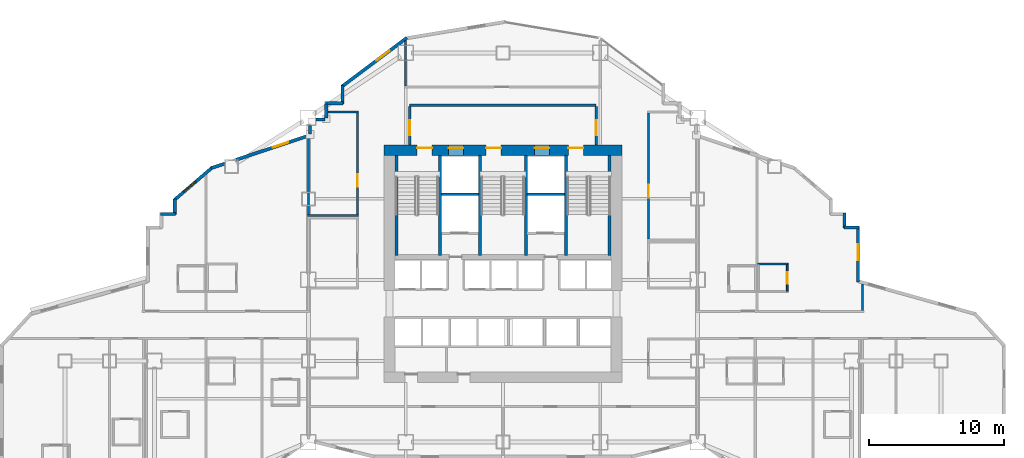
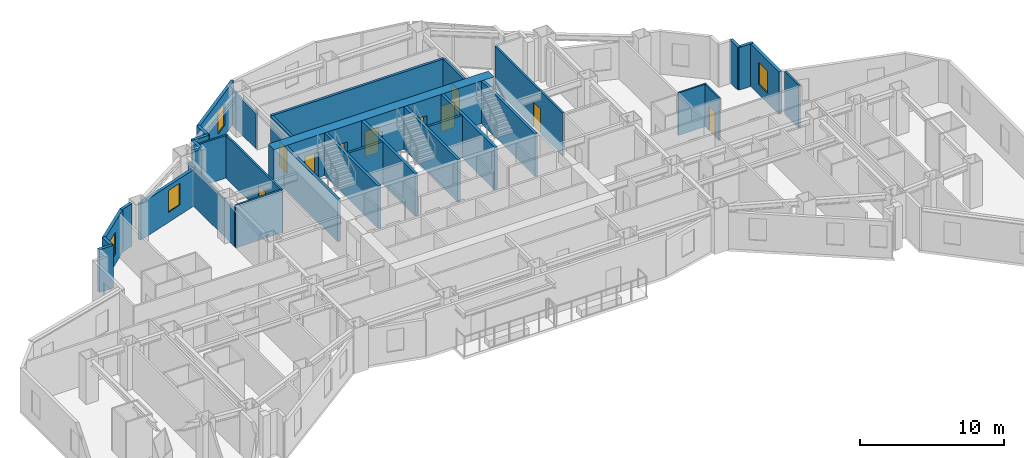
# One storey, part 11 of 16: 35 walls, 10 doors, 4 windows, 14 openings.
"""IFC4 building model written with IfcOpenShell, lengths in metres."""

from ifc_helpers import new_model, si_unit, direction, frame, frame_2d, origin, place, context, subcontext, project, spatial, rectangle, extrude, material, layer, layer_set, type_object, element, fill, save


model = new_model("IFC4")

# Units and contexts
model_context = context("Model", 3, precision=1e-05, world=origin(), true_north=direction((0.0, 1.0)))
body_context = subcontext(model_context, "Body", "Model", "MODEL_VIEW")
ifc_project = project(units=[si_unit("LENGTHUNIT", "METRE"), si_unit("AREAUNIT", "SQUARE_METRE"), si_unit("VOLUMEUNIT", "CUBIC_METRE"), si_unit("PLANEANGLEUNIT", "RADIAN"), si_unit("MASSUNIT", "GRAM", prefix="KILO")], contexts=[model_context])

# Site, building, storey
site_placement = place(None, origin())
site = spatial("IfcSite", under=ifc_project, at=site_placement, CompositionType="ELEMENT")
building_placement = place(site_placement, origin())
building = spatial("IfcBuilding", under=site, at=building_placement, Name="Haolan Belvedere Tower", CompositionType="ELEMENT")
storey_placement = place(building_placement, frame((0.0, 0.0, 62.800048828125)))
storey = spatial("IfcBuildingStorey", under=building, at=storey_placement, Name="L15", CompositionType="ELEMENT", Elevation=62.800048828125)

# Wall, openings, doors
ifc_material_1 = material(Name="Concrete C70/85", Category="concrete")
ifc_layer_1 = layer(ifc_material_1, 0.800048828125, Name="Concrete C70/85")
ifc_layer_set_1 = layer_set([ifc_layer_1], Name="Concrete C70/85")
wall_type_1 = type_object("IfcWallType", Name="WL-CORE-800", PredefinedType="SHEAR", material=ifc_layer_set_1)
wall_1_placement = place(storey_placement, frame((29.60009765625, 43.199951171875, 0.0), z_axis=(0.0, 0.0, 1.0), x_axis=(1.0, 0.0, 0.0)))
wall_1 = element("IfcWall", 1, at=wall_1_placement, inside=storey, type_object=wall_type_1, Name="L15 central core north shear wall", PredefinedType="SHEAR", context=body_context, shape_type="SweptSolid", body=[
    extrude(rectangle(XDim=17.599853515625, YDim=0.800048828125, at=frame_2d((8.7998046875, 0.0))), origin(), (0.0, 0.0, 1.0), 3.599853515625),
])
opening_1_placement = place(wall_1_placement, frame((2.449951171875, 0.0, 0.0)))
opening_1 = element("IfcOpeningElement", 2, at=opening_1_placement, cuts=wall_1, Name="Opening FD-03", PredefinedType="OPENING", context=body_context, shape_type="SweptSolid", body=[
    extrude(rectangle(XDim=1.10009765625, YDim=2.14990234375, at=frame_2d((0.550048828125, 1.074951171875))), frame((0.0, 0.409912109375, 0.0), z_axis=(0.0, -1.0, 0.0), x_axis=(1.0, 0.0, 0.0)), (0.0, 0.0, 1.0), 0.820068359375),
])
opening_2_placement = place(wall_1_placement, frame((7.56005859375, 0.0, 0.0)))
opening_2 = element("IfcOpeningElement", 3, at=opening_2_placement, cuts=wall_1, Name="Opening FD-03", PredefinedType="OPENING", context=body_context, shape_type="SweptSolid", body=[
    extrude(rectangle(XDim=1.10009765625, YDim=2.14990234375, at=frame_2d((0.550048828125, 1.074951171875))), frame((0.0, 0.409912109375, 0.0), z_axis=(0.0, -1.0, 0.0), x_axis=(1.0, 0.0, 0.0)), (0.0, 0.0, 1.0), 0.820068359375),
])
opening_3_placement = place(wall_1_placement, frame((13.64990234375, 0.0, 0.0)))
opening_3 = element("IfcOpeningElement", 4, at=opening_3_placement, cuts=wall_1, Name="Opening FD-03", PredefinedType="OPENING", context=body_context, shape_type="SweptSolid", body=[
    extrude(rectangle(XDim=1.10009765625, YDim=2.14990234375, at=frame_2d((0.550048828125, 1.074951171875))), frame((0.0, 0.409912109375, 0.0), z_axis=(0.0, -1.0, 0.0), x_axis=(1.0, 0.0, 0.0)), (0.0, 0.0, 1.0), 0.820068359375),
])
opening_4_placement = place(wall_1_placement, frame((4.780029296875, 0.0, 0.0)))
opening_4 = element("IfcOpeningElement", 5, at=opening_4_placement, cuts=wall_1, Name="Opening LD-01", PredefinedType="OPENING", context=body_context, shape_type="SweptSolid", body=[
    extrude(rectangle(XDim=1.10009765625, YDim=2.199951171875, at=frame_2d((0.550048828125, 1.10009765625))), frame((0.0, 0.409912109375, 0.0), z_axis=(0.0, -1.0, 0.0), x_axis=(1.0, 0.0, 0.0)), (0.0, 0.0, 1.0), 0.820068359375),
])
opening_5_placement = place(wall_1_placement, frame((11.139892578125, 0.0, 0.0)))
opening_5 = element("IfcOpeningElement", 6, at=opening_5_placement, cuts=wall_1, Name="Opening LD-01", PredefinedType="OPENING", context=body_context, shape_type="SweptSolid", body=[
    extrude(rectangle(XDim=1.10009765625, YDim=2.199951171875, at=frame_2d((0.550048828125, 1.10009765625))), frame((0.0, 0.409912109375, 0.0), z_axis=(0.0, -1.0, 0.0), x_axis=(1.0, 0.0, 0.0)), (0.0, 0.0, 1.0), 0.820068359375),
])
ifc_material_2 = material(Name="Galvanised fire-rated steel", Category="steel")
door_type_1 = type_object("IfcDoorType", Name="DR-FD90-1100", OperationType="NOTDEFINED", PredefinedType="DOOR", material=ifc_material_2)
door_1_placement = place(opening_1_placement, origin())
door_1 = element("IfcDoor", 7, at=door_1_placement, inside=storey, type_object=door_type_1, Name="L15 door CD-L15-ST1", OperationType="SINGLE_SWING_LEFT", OverallHeight=2.14990234375, OverallWidth=1.10009765625, PredefinedType="DOOR", context=body_context, shape_type="SweptSolid", body=[
    extrude(rectangle(XDim=1.10009765625, YDim=2.14990234375, at=frame_2d((0.550048828125, 1.074951171875))), frame((0.0, 0.18505859375, 0.0), z_axis=(0.0, -1.0, 0.0), x_axis=(1.0, 0.0, 0.0)), (0.0, 0.0, 1.0), 0.050048828125),
])
fill(opening_1, door_1)
door_2_placement = place(opening_2_placement, origin())
door_2 = element("IfcDoor", 8, at=door_2_placement, inside=storey, type_object=door_type_1, Name="L15 door CD-L15-ST3", OperationType="SINGLE_SWING_LEFT", OverallHeight=2.14990234375, OverallWidth=1.10009765625, PredefinedType="DOOR", context=body_context, shape_type="SweptSolid", body=[
    extrude(rectangle(XDim=1.10009765625, YDim=2.14990234375, at=frame_2d((0.550048828125, 1.074951171875))), frame((0.0, 0.18505859375, 0.0), z_axis=(0.0, -1.0, 0.0), x_axis=(1.0, 0.0, 0.0)), (0.0, 0.0, 1.0), 0.050048828125),
])
fill(opening_2, door_2)
door_3_placement = place(opening_3_placement, origin())
door_3 = element("IfcDoor", 9, at=door_3_placement, inside=storey, type_object=door_type_1, Name="L15 door CD-L15-ST2", OperationType="SINGLE_SWING_RIGHT", OverallHeight=2.14990234375, OverallWidth=1.10009765625, PredefinedType="DOOR", context=body_context, shape_type="SweptSolid", body=[
    extrude(rectangle(XDim=1.10009765625, YDim=2.14990234375, at=frame_2d((0.550048828125, 1.074951171875))), frame((0.0, 0.18505859375, 0.0), z_axis=(0.0, -1.0, 0.0), x_axis=(1.0, 0.0, 0.0)), (0.0, 0.0, 1.0), 0.050048828125),
])
fill(opening_3, door_3)
ifc_material_3 = material(Name="Brushed champagne stainless steel 316L", Category="steel")
door_type_2 = type_object("IfcDoorType", Name="DR-LIFT-1100", OperationType="SLIDING_TO_LEFT", PredefinedType="DOOR", material=ifc_material_3)
door_4_placement = place(opening_4_placement, origin())
door_4 = element("IfcDoor", 10, at=door_4_placement, inside=storey, type_object=door_type_2, Name="L15 door LD-L15-FF1", OperationType="SLIDING_TO_LEFT", OverallHeight=2.199951171875, OverallWidth=1.10009765625, PredefinedType="DOOR", context=body_context, shape_type="SweptSolid", body=[
    extrude(rectangle(XDim=1.10009765625, YDim=2.199951171875, at=frame_2d((0.550048828125, 1.10009765625))), frame((0.0, 0.18505859375, 0.0), z_axis=(0.0, -1.0, 0.0), x_axis=(1.0, 0.0, 0.0)), (0.0, 0.0, 1.0), 0.050048828125),
])
fill(opening_4, door_4)
door_5_placement = place(opening_5_placement, origin())
door_5 = element("IfcDoor", 11, at=door_5_placement, inside=storey, type_object=door_type_2, Name="L15 door LD-L15-FF2", OperationType="SLIDING_TO_LEFT", OverallHeight=2.199951171875, OverallWidth=1.10009765625, PredefinedType="DOOR", context=body_context, shape_type="SweptSolid", body=[
    extrude(rectangle(XDim=1.10009765625, YDim=2.199951171875, at=frame_2d((0.550048828125, 1.10009765625))), frame((0.0, 0.18505859375, 0.0), z_axis=(0.0, -1.0, 0.0), x_axis=(1.0, 0.0, 0.0)), (0.0, 0.0, 1.0), 0.050048828125),
])
fill(opening_5, door_5)

# Wall, opening, window
ifc_material_4 = material(Name="Precast concrete C40/50", Category="concrete")
ifc_layer_2 = layer(ifc_material_4, 0.239990234375, Name="Precast concrete C40/50")
ifc_layer_set_2 = layer_set([ifc_layer_2], Name="Precast concrete C40/50")
wall_type_2 = type_object("IfcWallType", Name="WL-EXT-240", PredefinedType="SOLIDWALL", material=ifc_layer_set_2)
wall_2_placement = place(storey_placement, frame((64.679931640625, 33.453857421875, 0.0), z_axis=(0.0, 0.0, 1.0), x_axis=(0.0, 1.0, 0.0)))
wall_2 = element("IfcWall", 12, at=wall_2_placement, inside=storey, type_object=wall_type_2, Name="L15 pale-metal exterior spandrel wall 29.1", PredefinedType="SOLIDWALL", context=body_context, shape_type="SweptSolid", body=[
    extrude(rectangle(XDim=4.0810546875, YDim=0.239990234375, at=frame_2d((2.04052734375, 0.0))), origin(), (0.0, 0.0, 1.0), 3.599853515625),
])
opening_6_placement = place(wall_2_placement, frame((1.60009765625, 0.0, 0.85009765625)))
opening_6 = element("IfcOpeningElement", 13, at=opening_6_placement, cuts=wall_2, Name="Opening W-01", PredefinedType="OPENING", context=body_context, shape_type="SweptSolid", body=[
    extrude(rectangle(XDim=1.199951171875, YDim=1.85009765625, at=frame_2d((0.60009765625, 0.925048828125))), frame((0.0, 0.1298828125, 0.0), z_axis=(0.0, -1.0, 0.0), x_axis=(1.0, 0.0, 0.0)), (0.0, 0.0, 1.0), 0.260009765625),
])
ifc_material_5 = material(Name="Anodised aluminium 6063-T6 and Low-E glass", Category="aluminium")
window_type = type_object("IfcWindowType", Name="WN-DECO-Z1", PartitioningType="SINGLE_PANEL", PredefinedType="WINDOW", material=ifc_material_5)
window_1_placement = place(opening_6_placement, origin())
window_1 = element("IfcWindow", 14, at=window_1_placement, inside=storey, type_object=window_type, Name="L15 Art Deco chevron window 1", OverallHeight=1.85009765625, OverallWidth=1.199951171875, PartitioningType="SINGLE_PANEL", PredefinedType="WINDOW", context=body_context, shape_type="SweptSolid", body=[
    extrude(rectangle(XDim=1.199951171875, YDim=1.85009765625, at=frame_2d((0.60009765625, 0.925048828125))), frame((0.0, 0.030029296875, 0.0), z_axis=(0.0, -1.0, 0.0), x_axis=(1.0, 0.0, 0.0)), (0.0, 0.0, 1.0), 0.06005859375),
])
fill(opening_6, window_1)

# Walls
wall_3_placement = place(storey_placement, frame((64.735107421875, 37.47998046875, 0.0), z_axis=(0.0, 0.0, 1.0), x_axis=(-1.0, 0.0, 0.0)))
element("IfcWall", 15, at=wall_3_placement, inside=storey, type_object=wall_type_2, Name="L15 pale-metal exterior spandrel wall 30.1", PredefinedType="SOLIDWALL", context=body_context, shape_type="SweptSolid", body=[
    extrude(rectangle(XDim=1.110107421875, YDim=0.239990234375, at=frame_2d((0.55517578125, 0.0))), origin(), (0.0, 0.0, 1.0), 3.599853515625),
])
wall_4_placement = place(storey_placement, frame((63.679931640625, 37.425048828125, 0.0), z_axis=(0.0, 0.0, 1.0), x_axis=(0.0, 1.0, 0.0)))
element("IfcWall", 16, at=wall_4_placement, inside=storey, type_object=wall_type_2, Name="L15 pale-metal exterior spandrel wall 31.1", PredefinedType="SOLIDWALL", context=body_context, shape_type="SweptSolid", body=[
    extrude(rectangle(XDim=1.10986328125, YDim=0.239990234375, at=frame_2d((0.554931640625, 0.0))), origin(), (0.0, 0.0, 1.0), 3.599853515625),
])

# Wall, opening, window
wall_5_placement = place(storey_placement, frame((31.29248046875, 51.519287109375, 0.0), z_axis=(0.0, 0.0, 1.0), x_axis=(-0.8, -0.6, 0.0)))
wall_5 = element("IfcWall", 17, at=wall_5_placement, inside=storey, type_object=wall_type_2, Name="L15 pale-metal exterior spandrel wall 44.1", PredefinedType="SOLIDWALL", context=body_context, shape_type="SweptSolid", body=[
    extrude(rectangle(XDim=6.0205078125, YDim=0.239990234375, at=frame_2d((3.01025390625, 0.0))), origin(), (0.0, 0.0, 1.0), 3.599853515625),
])
opening_7_placement = place(wall_5_placement, frame((1.60009765625, 0.0, 0.85009765625)))
opening_7 = element("IfcOpeningElement", 18, at=opening_7_placement, cuts=wall_5, Name="Opening W-01", PredefinedType="OPENING", context=body_context, shape_type="SweptSolid", body=[
    extrude(rectangle(XDim=1.199951171875, YDim=1.85009765625, at=frame_2d((0.60009765625, 0.925048828125))), frame((0.0, 0.1298828125, 0.0), z_axis=(0.0, -1.0, 0.0), x_axis=(1.0, 0.0, 0.0)), (0.0, 0.0, 1.0), 0.260009765625),
])
window_2_placement = place(opening_7_placement, origin())
window_2 = element("IfcWindow", 19, at=window_2_placement, inside=storey, type_object=window_type, Name="L15 Art Deco chevron window 1", OverallHeight=1.85009765625, OverallWidth=1.199951171875, PartitioningType="SINGLE_PANEL", PredefinedType="WINDOW", context=body_context, shape_type="SweptSolid", body=[
    extrude(rectangle(XDim=1.199951171875, YDim=1.85009765625, at=frame_2d((0.60009765625, 0.925048828125))), frame((0.0, 0.030029296875, 0.0), z_axis=(0.0, -1.0, 0.0), x_axis=(1.0, 0.0, 0.0)), (0.0, 0.0, 1.0), 0.06005859375),
])
fill(opening_7, window_2)

# Walls
wall_6_placement = place(storey_placement, frame((26.52001953125, 47.9951171875, 0.0), z_axis=(0.0, 0.0, 1.0), x_axis=(0.0, -1.0, 0.0)))
element("IfcWall", 20, at=wall_6_placement, inside=storey, type_object=wall_type_2, Name="L15 pale-metal exterior spandrel wall 45.1", PredefinedType="SOLIDWALL", context=body_context, shape_type="SweptSolid", body=[
    extrude(rectangle(XDim=1.3701171875, YDim=0.239990234375, at=frame_2d((0.68505859375, 0.0))), origin(), (0.0, 0.0, 1.0), 3.599853515625),
])
wall_7_placement = place(storey_placement, frame((26.574951171875, 46.679931640625, 0.0), z_axis=(0.0, 0.0, 1.0), x_axis=(-1.0, 0.0, 0.0)))
element("IfcWall", 21, at=wall_7_placement, inside=storey, type_object=wall_type_2, Name="L15 pale-metal exterior spandrel wall 46.1", PredefinedType="SOLIDWALL", context=body_context, shape_type="SweptSolid", body=[
    extrude(rectangle(XDim=1.31005859375, YDim=0.239990234375, at=frame_2d((0.655029296875, 0.0))), origin(), (0.0, 0.0, 1.0), 3.599853515625),
])
wall_8_placement = place(storey_placement, frame((25.320068359375, 46.614990234375, 0.0), z_axis=(0.0, 0.0, 1.0), x_axis=(0.0, -1.0, 0.0)))
element("IfcWall", 22, at=wall_8_placement, inside=storey, type_object=wall_type_2, Name="L15 pale-metal exterior spandrel wall 47.1", PredefinedType="SOLIDWALL", context=body_context, shape_type="SweptSolid", body=[
    extrude(rectangle(XDim=1.050048828125, YDim=0.239990234375, at=frame_2d((0.52490234375, 0.0))), origin(), (0.0, 0.0, 1.0), 3.599853515625),
])
wall_9_placement = place(storey_placement, frame((25.235107421875, 45.47998046875, 0.0), z_axis=(0.0, 0.0, 1.0), x_axis=(-1.0, 0.0, 0.0)))
element("IfcWall", 23, at=wall_9_placement, inside=storey, type_object=wall_type_2, Name="L15 pale-metal exterior spandrel wall 48.1", PredefinedType="SOLIDWALL", context=body_context, shape_type="SweptSolid", body=[
    extrude(rectangle(XDim=0.668212890625, YDim=0.239990234375, at=frame_2d((0.333984375, 0.0))), origin(), (0.0, 0.0, 1.0), 3.599853515625),
])
wall_10_placement = place(storey_placement, frame((24.1201171875, 45.032958984375, 0.0), z_axis=(0.0, 0.0, 1.0), x_axis=(0.0, -1.0, 0.0)))
element("IfcWall", 24, at=wall_10_placement, inside=storey, type_object=wall_type_2, Name="L15 pale-metal exterior spandrel wall 49.1", PredefinedType="SOLIDWALL", context=body_context, shape_type="SweptSolid", body=[
    extrude(rectangle(XDim=0.634521484375, YDim=0.239990234375, at=frame_2d((0.3173828125, 0.0))), origin(), (0.0, 0.0, 1.0), 3.096923828125),
])

# Wall, opening, window
wall_11_placement = place(storey_placement, frame((24.039306640625, 44.28662109375, 0.0), z_axis=(0.0, 0.0, 1.0), x_axis=(-0.948678995954, -0.316240672014, 0.0)))
wall_11 = element("IfcWall", 25, at=wall_11_placement, inside=storey, type_object=wall_type_2, Name="L15 pale-metal exterior spandrel wall 50.1", PredefinedType="SOLIDWALL", context=body_context, shape_type="SweptSolid", body=[
    extrude(rectangle(XDim=5.675048828125, YDim=0.239990234375, at=frame_2d((2.83740234375, 0.0))), origin(), (0.0, 0.0, 1.0), 3.096923828125),
])
opening_8_placement = place(wall_11_placement, frame((1.60009765625, 0.0, 0.85009765625)))
opening_8 = element("IfcOpeningElement", 26, at=opening_8_placement, cuts=wall_11, Name="Opening W-01", PredefinedType="OPENING", context=body_context, shape_type="SweptSolid", body=[
    extrude(rectangle(XDim=1.199951171875, YDim=1.85009765625, at=frame_2d((0.60009765625, 0.925048828125))), frame((0.0, 0.1298828125, 0.0), z_axis=(0.0, -1.0, 0.0), x_axis=(1.0, 0.0, 0.0)), (0.0, 0.0, 1.0), 0.260009765625),
])
window_3_placement = place(opening_8_placement, origin())
window_3 = element("IfcWindow", 27, at=window_3_placement, inside=storey, type_object=window_type, Name="L15 Art Deco chevron window 1", OverallHeight=1.85009765625, OverallWidth=1.199951171875, PartitioningType="SINGLE_PANEL", PredefinedType="WINDOW", context=body_context, shape_type="SweptSolid", body=[
    extrude(rectangle(XDim=1.199951171875, YDim=1.85009765625, at=frame_2d((0.60009765625, 0.925048828125))), frame((0.0, 0.030029296875, 0.0), z_axis=(0.0, -1.0, 0.0), x_axis=(1.0, 0.0, 0.0)), (0.0, 0.0, 1.0), 0.06005859375),
])
fill(opening_8, window_3)

# Wall
wall_12_placement = place(storey_placement, frame((17.80810546875, 42.20947265625, 0.0), z_axis=(0.0, 0.0, 1.0), x_axis=(-0.948706457285, -0.316158279832, 0.0)))
element("IfcWall", 28, at=wall_12_placement, inside=storey, type_object=wall_type_2, Name="L15 pale-metal exterior spandrel wall 50.2", PredefinedType="SOLIDWALL", context=body_context, shape_type="SweptSolid", body=[
    extrude(rectangle(XDim=1.053955078125, YDim=0.239990234375, at=frame_2d((0.52685546875, 0.0))), origin(), (0.0, 0.0, 1.0), 3.599853515625),
])

# Wall, opening, window
wall_13_placement = place(storey_placement, frame((16.902099609375, 41.929443359375, 0.0), z_axis=(0.0, 0.0, 1.0), x_axis=(-0.759275136126, -0.650769750112, 0.0)))
wall_13 = element("IfcWall", 29, at=wall_13_placement, inside=storey, type_object=wall_type_2, Name="L15 pale-metal exterior spandrel wall 51.1", PredefinedType="SOLIDWALL", context=body_context, shape_type="SweptSolid", body=[
    extrude(rectangle(XDim=3.71923828125, YDim=0.239990234375, at=frame_2d((1.859619140625, 0.0))), origin(), (0.0, 0.0, 1.0), 3.599853515625),
])
opening_9_placement = place(wall_13_placement, frame((1.60009765625, 0.0, 0.85009765625)))
opening_9 = element("IfcOpeningElement", 30, at=opening_9_placement, cuts=wall_13, Name="Opening W-01", PredefinedType="OPENING", context=body_context, shape_type="SweptSolid", body=[
    extrude(rectangle(XDim=1.199951171875, YDim=1.85009765625, at=frame_2d((0.60009765625, 0.925048828125))), frame((0.0, 0.1298828125, 0.0), z_axis=(0.0, -1.0, 0.0), x_axis=(1.0, 0.0, 0.0)), (0.0, 0.0, 1.0), 0.260009765625),
])
window_4_placement = place(opening_9_placement, origin())
window_4 = element("IfcWindow", 31, at=window_4_placement, inside=storey, type_object=window_type, Name="L15 Art Deco chevron window 1", OverallHeight=1.85009765625, OverallWidth=1.199951171875, PartitioningType="SINGLE_PANEL", PredefinedType="WINDOW", context=body_context, shape_type="SweptSolid", body=[
    extrude(rectangle(XDim=1.199951171875, YDim=1.85009765625, at=frame_2d((0.60009765625, 0.925048828125))), frame((0.0, 0.030029296875, 0.0), z_axis=(0.0, -1.0, 0.0), x_axis=(1.0, 0.0, 0.0)), (0.0, 0.0, 1.0), 0.06005859375),
])
fill(opening_9, window_4)

# Walls
wall_14_placement = place(storey_placement, frame((14.1201171875, 39.599853515625, 0.0), z_axis=(0.0, 0.0, 1.0), x_axis=(0.0, -1.0, 0.0)))
element("IfcWall", 32, at=wall_14_placement, inside=storey, type_object=wall_type_2, Name="L15 pale-metal exterior spandrel wall 52.1", PredefinedType="SOLIDWALL", context=body_context, shape_type="SweptSolid", body=[
    extrude(rectangle(XDim=1.1748046875, YDim=0.239990234375, at=frame_2d((0.58740234375, 0.0))), origin(), (0.0, 0.0, 1.0), 3.599853515625),
])
wall_15_placement = place(storey_placement, frame((14.175048828125, 38.47998046875, 0.0), z_axis=(0.0, 0.0, 1.0), x_axis=(-1.0, 0.0, 0.0)))
element("IfcWall", 33, at=wall_15_placement, inside=storey, type_object=wall_type_2, Name="L15 pale-metal exterior spandrel wall 53.1", PredefinedType="SOLIDWALL", context=body_context, shape_type="SweptSolid", body=[
    extrude(rectangle(XDim=1.110107421875, YDim=0.239990234375, at=frame_2d((0.55517578125, 0.0))), origin(), (0.0, 0.0, 1.0), 3.599853515625),
])
ifc_material_6 = material(Name="Concrete C40/50", Category="concrete")
ifc_layer_3 = layer(ifc_material_6, 0.199951171875, Name="Concrete C40/50")
ifc_layer_set_3 = layer_set([ifc_layer_3], Name="Concrete C40/50")
wall_type_3 = type_object("IfcWallType", Name="WL-FIRE-200", PredefinedType="SOLIDWALL", material=ifc_layer_set_3)
wall_16_placement = place(storey_placement, frame((31.5, 46.52001953125, 0.0), z_axis=(0.0, 0.0, 1.0), x_axis=(1.0, 0.0, 0.0)))
element("IfcWall", 34, at=wall_16_placement, inside=storey, type_object=wall_type_3, Name="L15 interior partition IW-L15-FFL-N", PredefinedType="SOLIDWALL", context=body_context, shape_type="SweptSolid", body=[
    extrude(rectangle(XDim=13.800048828125, YDim=0.199951171875, at=frame_2d((6.89990234375, 0.0))), origin(), (0.0, 0.0, 1.0), 3.599853515625),
])

# Wall, opening, door
wall_17_placement = place(storey_placement, frame((31.5, 43.60009765625, 0.0), z_axis=(0.0, 0.0, 1.0), x_axis=(0.0, 1.0, 0.0)))
wall_17 = element("IfcWall", 35, at=wall_17_placement, inside=storey, type_object=wall_type_3, Name="L15 interior partition IW-L15-FFL-W", PredefinedType="SOLIDWALL", context=body_context, shape_type="SweptSolid", body=[
    extrude(rectangle(XDim=2.8349609375, YDim=0.199951171875, at=frame_2d((1.41748046875, 0.0))), origin(), (0.0, 0.0, 1.0), 3.599853515625),
])
opening_10_placement = place(wall_17_placement, frame((1.800048828125, 0.0, 0.0), z_axis=(0.0, 0.0, 1.0), x_axis=(-1.0, 0.0, 0.0)))
opening_10 = element("IfcOpeningElement", 36, at=opening_10_placement, cuts=wall_17, Name="Opening FD-03", PredefinedType="OPENING", context=body_context, shape_type="SweptSolid", body=[
    extrude(rectangle(XDim=1.10009765625, YDim=2.14990234375, at=frame_2d((0.550048828125, 1.074951171875))), frame((0.0, 0.10986328125, 0.0), z_axis=(0.0, -1.0, 0.0), x_axis=(1.0, 0.0, 0.0)), (0.0, 0.0, 1.0), 0.219970703125),
])
door_6_placement = place(opening_10_placement, origin())
door_6 = element("IfcDoor", 37, at=door_6_placement, inside=storey, type_object=door_type_1, Name="L15 door ID-L15-FFL-DW", OperationType="SINGLE_SWING_LEFT", OverallHeight=2.14990234375, OverallWidth=1.10009765625, PredefinedType="DOOR", context=body_context, shape_type="SweptSolid", body=[
    extrude(rectangle(XDim=1.10009765625, YDim=2.14990234375, at=frame_2d((0.550048828125, 1.074951171875))), frame((0.0, 0.02490234375, 0.0), z_axis=(0.0, -1.0, 0.0), x_axis=(1.0, 0.0, 0.0)), (0.0, 0.0, 1.0), 0.050048828125),
])
fill(opening_10, door_6)

wall_18_placement = place(storey_placement, frame((45.300048828125, 43.60009765625, 0.0), z_axis=(0.0, 0.0, 1.0), x_axis=(0.0, 1.0, 0.0)))
wall_18 = element("IfcWall", 38, at=wall_18_placement, inside=storey, type_object=wall_type_3, Name="L15 interior partition IW-L15-FFL-E", PredefinedType="SOLIDWALL", context=body_context, shape_type="SweptSolid", body=[
    extrude(rectangle(XDim=2.8349609375, YDim=0.199951171875, at=frame_2d((1.41748046875, 0.0))), origin(), (0.0, 0.0, 1.0), 3.599853515625),
])
opening_11_placement = place(wall_18_placement, frame((0.699951171875, 0.0, 0.0)))
opening_11 = element("IfcOpeningElement", 39, at=opening_11_placement, cuts=wall_18, Name="Opening FD-03", PredefinedType="OPENING", context=body_context, shape_type="SweptSolid", body=[
    extrude(rectangle(XDim=1.10009765625, YDim=2.14990234375, at=frame_2d((0.550048828125, 1.074951171875))), frame((0.0, 0.10986328125, 0.0), z_axis=(0.0, -1.0, 0.0), x_axis=(1.0, 0.0, 0.0)), (0.0, 0.0, 1.0), 0.219970703125),
])
door_7_placement = place(opening_11_placement, origin())
door_7 = element("IfcDoor", 40, at=door_7_placement, inside=storey, type_object=door_type_1, Name="L15 door ID-L15-FFL-DE", OperationType="SINGLE_SWING_RIGHT", OverallHeight=2.14990234375, OverallWidth=1.10009765625, PredefinedType="DOOR", context=body_context, shape_type="SweptSolid", body=[
    extrude(rectangle(XDim=1.10009765625, YDim=2.14990234375, at=frame_2d((0.550048828125, 1.074951171875))), frame((0.0, 0.02490234375, 0.0), z_axis=(0.0, -1.0, 0.0), x_axis=(1.0, 0.0, 0.0)), (0.0, 0.0, 1.0), 0.050048828125),
])
fill(opening_11, door_7)

# Walls
ifc_material_7 = material(Name="Double gypsum acoustic stud partition", Category="masonry")
ifc_layer_4 = layer(ifc_material_7, 0.14990234375, Name="Double gypsum acoustic stud partition")
ifc_layer_set_4 = layer_set([ifc_layer_4], Name="Double gypsum acoustic stud partition")
wall_type_4 = type_object("IfcWallType", Name="WL-PART-150", PredefinedType="PARTITIONING", material=ifc_layer_set_4)
wall_19_placement = place(storey_placement, frame((25.425048828125, 46.02001953125, 0.0), z_axis=(0.0, 0.0, 1.0), x_axis=(1.0, 0.0, 0.0)))
element("IfcWall", 41, at=wall_19_placement, inside=storey, type_object=wall_type_4, Name="L15 interior partition IW-L15-VLT-N", PredefinedType="PARTITIONING", context=body_context, shape_type="SweptSolid", body=[
    extrude(rectangle(XDim=2.294921875, YDim=0.14990234375, at=frame_2d((1.1474609375, 0.0))), origin(), (0.0, 0.0, 1.0), 3.599853515625),
])
wall_20_placement = place(storey_placement, frame((23.919921875, 38.360107421875, 0.0), z_axis=(0.0, 0.0, 1.0), x_axis=(1.0, 0.0, 0.0)))
element("IfcWall", 42, at=wall_20_placement, inside=storey, type_object=wall_type_4, Name="L15 interior partition IW-L15-VLT-S", PredefinedType="PARTITIONING", context=body_context, shape_type="SweptSolid", body=[
    extrude(rectangle(XDim=3.800048828125, YDim=0.14990234375, at=frame_2d((1.89990234375, 0.0))), origin(), (0.0, 0.0, 1.0), 3.599853515625),
])
wall_21_placement = place(storey_placement, frame((24.0, 38.419921875, 0.0), z_axis=(0.0, 0.0, 1.0), x_axis=(0.0, 1.0, 0.0)))
element("IfcWall", 43, at=wall_21_placement, inside=storey, type_object=wall_type_4, Name="L15 interior partition IW-L15-VLT-W", PredefinedType="PARTITIONING", context=body_context, shape_type="SweptSolid", body=[
    extrude(rectangle(XDim=5.742919921875, YDim=0.14990234375, at=frame_2d((2.87158203125, 0.0))), origin(), (0.0, 0.0, 1.0), 3.096923828125),
])

# Wall, opening, door
wall_22_placement = place(storey_placement, frame((27.639892578125, 38.419921875, 0.0), z_axis=(0.0, 0.0, 1.0), x_axis=(0.0, 1.0, 0.0)))
wall_22 = element("IfcWall", 44, at=wall_22_placement, inside=storey, type_object=wall_type_4, Name="L15 interior partition IW-L15-VLT-E", PredefinedType="PARTITIONING", context=body_context, shape_type="SweptSolid", body=[
    extrude(rectangle(XDim=7.5400390625, YDim=0.14990234375, at=frame_2d((3.77001953125, 0.0))), origin(), (0.0, 0.0, 1.0), 3.599853515625),
])
opening_12_placement = place(wall_22_placement, frame((3.010009765625, 0.0, 0.0), z_axis=(0.0, 0.0, 1.0), x_axis=(-1.0, 0.0, 0.0)))
opening_12 = element("IfcOpeningElement", 45, at=opening_12_placement, cuts=wall_22, Name="Opening ID-03", PredefinedType="OPENING", context=body_context, shape_type="SweptSolid", body=[
    extrude(rectangle(XDim=0.949951171875, YDim=2.1201171875, at=frame_2d((0.47509765625, 1.06005859375))), frame((0.0, 0.0849609375, 0.0), z_axis=(0.0, -1.0, 0.0), x_axis=(1.0, 0.0, 0.0)), (0.0, 0.0, 1.0), 0.169921875),
])
ifc_material_8 = material(Name="Painted solid-core timber", Category="wood")
door_type_3 = type_object("IfcDoorType", Name="DR-INT-950", OperationType="NOTDEFINED", PredefinedType="DOOR", material=ifc_material_8)
door_8_placement = place(opening_12_placement, origin())
door_8 = element("IfcDoor", 46, at=door_8_placement, inside=storey, type_object=door_type_3, Name="L15 door ID-L15-VLT", OperationType="SINGLE_SWING_RIGHT", OverallHeight=2.1201171875, OverallWidth=0.949951171875, PredefinedType="DOOR", context=body_context, shape_type="SweptSolid", body=[
    extrude(rectangle(XDim=0.949951171875, YDim=2.1201171875, at=frame_2d((0.47509765625, 1.06005859375))), frame((0.0, 0.02490234375, 0.0), z_axis=(0.0, -1.0, 0.0), x_axis=(1.0, 0.0, 0.0)), (0.0, 0.0, 1.0), 0.050048828125),
])
fill(opening_12, door_8)

wall_23_placement = place(storey_placement, frame((49.159912109375, 36.6201171875, 0.0), z_axis=(0.0, 0.0, 1.0), x_axis=(0.0, 1.0, 0.0)))
wall_23 = element("IfcWall", 47, at=wall_23_placement, inside=storey, type_object=wall_type_4, Name="L15 interior partition IW-L15-SAL-W", PredefinedType="PARTITIONING", context=body_context, shape_type="SweptSolid", body=[
    extrude(rectangle(XDim=9.33984375, YDim=0.14990234375, at=frame_2d((4.669921875, 0.0))), origin(), (0.0, 0.0, 1.0), 3.599853515625),
])
opening_13_placement = place(wall_23_placement, frame((3.06005859375, 0.0, 0.0)))
opening_13 = element("IfcOpeningElement", 48, at=opening_13_placement, cuts=wall_23, Name="Opening ID-03", PredefinedType="OPENING", context=body_context, shape_type="SweptSolid", body=[
    extrude(rectangle(XDim=0.949951171875, YDim=2.1201171875, at=frame_2d((0.47509765625, 1.06005859375))), frame((0.0, 0.0849609375, 0.0), z_axis=(0.0, -1.0, 0.0), x_axis=(1.0, 0.0, 0.0)), (0.0, 0.0, 1.0), 0.169921875),
])
door_9_placement = place(opening_13_placement, origin())
door_9 = element("IfcDoor", 49, at=door_9_placement, inside=storey, type_object=door_type_3, Name="L15 door ID-L15-SAL", OperationType="SINGLE_SWING_LEFT", OverallHeight=2.1201171875, OverallWidth=0.949951171875, PredefinedType="DOOR", context=body_context, shape_type="SweptSolid", body=[
    extrude(rectangle(XDim=0.949951171875, YDim=2.1201171875, at=frame_2d((0.47509765625, 1.06005859375))), frame((0.0, 0.02490234375, 0.0), z_axis=(0.0, -1.0, 0.0), x_axis=(1.0, 0.0, 0.0)), (0.0, 0.0, 1.0), 0.050048828125),
])
fill(opening_13, door_9)

# Walls
wall_24_placement = place(storey_placement, frame((31.199951171875, 47.93994140625, 0.0), z_axis=(0.0, 0.0, 1.0), x_axis=(0.0, 1.0, 0.0)))
element("IfcWall", 50, at=wall_24_placement, inside=storey, type_object=wall_type_4, Name="L15 interior partition IW-L15-KN2-W", PredefinedType="PARTITIONING", context=body_context, shape_type="SweptSolid", body=[
    extrude(rectangle(XDim=3.378662109375, YDim=0.14990234375, at=frame_2d((1.689453125, 0.0))), origin(), (0.0, 0.0, 1.0), 2.98486328125),
])
wall_25_placement = place(storey_placement, frame((65.0, 31.340087890625, 0.0), z_axis=(0.0, 0.0, 1.0), x_axis=(0.0, 1.0, 0.0)))
element("IfcWall", 51, at=wall_25_placement, inside=storey, type_object=wall_type_4, Name="L15 interior partition IW-L15-T4N2-E", PredefinedType="PARTITIONING", context=body_context, shape_type="SweptSolid", body=[
    extrude(rectangle(XDim=1.970458984375, YDim=0.14990234375, at=frame_2d((0.9853515625, 0.0))), origin(), (0.0, 0.0, 1.0), 3.599853515625),
])
ifc_layer_5 = layer(ifc_material_4, 0.179931640625, Name="Precast concrete C40/50")
ifc_layer_set_5 = layer_set([ifc_layer_5], Name="Precast concrete C40/50")
wall_type_5 = type_object("IfcWallType", Name="WL-SHAFT-180", PredefinedType="SOLIDWALL", material=ifc_layer_set_5)
for number, where, z_axis, x_axis, name in (
    (52, (33.8349609375, 39.949951171875, 0.0), (0.0, 0.0, 1.0), (1.0, 0.0, 0.0), "L15 interior partition IW-L15-FF1-S"),
    (53, (40.195068359375, 39.949951171875, 0.0), (0.0, 0.0, 1.0), (1.0, 0.0, 0.0), "L15 interior partition IW-L15-FF2-S"),
):
    element("IfcWall", number, at=place(storey_placement, frame(where, z_axis=z_axis, x_axis=x_axis)), inside=storey, type_object=wall_type_5, Name=name, PredefinedType="SOLIDWALL", context=body_context, shape_type="SweptSolid", body=[
        extrude(rectangle(XDim=2.77001953125, YDim=0.179931640625, at=frame_2d((1.385009765625, 0.0))), origin(), (0.0, 0.0, 1.0), 3.599853515625),
    ])
ifc_material_9 = material(Name="Concrete C50/60", Category="concrete")
ifc_layer_6 = layer(ifc_material_9, 0.219970703125, Name="Concrete C50/60")
ifc_layer_set_6 = layer_set([ifc_layer_6], Name="Concrete C50/60")
wall_type_6 = type_object("IfcWallType", Name="WL-STAIR-220", PredefinedType="SHEAR", material=ifc_layer_set_6)
for number, where, z_axis, x_axis, name in (
    (54, (30.511962890625, 35.389892578125, 0.0), (0.0, 0.0, 1.0), (0.0, 1.0, 0.0), "L15 structural stair core wall ST1W"),
    (55, (33.739990234375, 35.389892578125, 0.0), (0.0, 0.0, 1.0), (0.0, 1.0, 0.0), "L15 structural stair core wall ST1E"),
    (56, (36.699951171875, 35.389892578125, 0.0), (0.0, 0.0, 1.0), (0.0, 1.0, 0.0), "L15 structural stair core wall ST3W"),
    (57, (40.10009765625, 35.389892578125, 0.0), (0.0, 0.0, 1.0), (0.0, 1.0, 0.0), "L15 structural stair core wall ST3E"),
    (58, (43.06005859375, 35.389892578125, 0.0), (0.0, 0.0, 1.0), (0.0, 1.0, 0.0), "L15 structural stair core wall ST2W"),
    (59, (46.2880859375, 35.389892578125, 0.0), (0.0, 0.0, 1.0), (0.0, 1.0, 0.0), "L15 structural stair core wall ST2E"),
):
    element("IfcWall", number, at=place(storey_placement, frame(where, z_axis=z_axis, x_axis=x_axis)), inside=storey, type_object=wall_type_6, Name=name, PredefinedType="SHEAR", context=body_context, shape_type="SweptSolid", body=[
        extrude(rectangle(XDim=7.41015625, YDim=0.219970703125, at=frame_2d((3.705078125, 0.0))), origin(), (0.0, 0.0, 1.0), 3.599853515625),
    ])
ifc_material_10 = material(Name="Moisture-resistant gypsum tile partition", Category="masonry")
ifc_layer_7 = layer(ifc_material_10, 0.1201171875, Name="Moisture-resistant gypsum tile partition")
ifc_layer_set_7 = layer_set([ifc_layer_7], Name="Moisture-resistant gypsum tile partition")
wall_type_7 = type_object("IfcWallType", Name="WL-WET-120", PredefinedType="PARTITIONING", material=ifc_layer_set_7)
wall_26_placement = place(storey_placement, frame((57.25, 34.780029296875, 0.0), z_axis=(0.0, 0.0, 1.0), x_axis=(1.0, 0.0, 0.0)))
element("IfcWall", 60, at=wall_26_placement, inside=storey, type_object=wall_type_7, Name="L15 interior partition IW-L15-T4N2-BN", PredefinedType="PARTITIONING", context=body_context, shape_type="SweptSolid", body=[
    extrude(rectangle(XDim=2.25, YDim=0.1201171875, at=frame_2d((1.125, 0.0))), origin(), (0.0, 0.0, 1.0), 3.599853515625),
])

# Wall, opening, door
wall_27_placement = place(storey_placement, frame((59.43994140625, 32.77490234375, 0.0), z_axis=(0.0, 0.0, 1.0), x_axis=(0.0, 1.0, 0.0)))
wall_27 = element("IfcWall", 61, at=wall_27_placement, inside=storey, type_object=wall_type_7, Name="L15 interior partition IW-L15-T4N2-BE", PredefinedType="PARTITIONING", context=body_context, shape_type="SweptSolid", body=[
    extrude(rectangle(XDim=1.960205078125, YDim=0.1201171875, at=frame_2d((0.97998046875, 0.0))), origin(), (0.0, 0.0, 1.0), 3.599853515625),
])
opening_14_placement = place(wall_27_placement, frame((0.554931640625, 0.0, 0.0)))
opening_14 = element("IfcOpeningElement", 62, at=opening_14_placement, cuts=wall_27, Name="Opening ID-05", PredefinedType="OPENING", context=body_context, shape_type="SweptSolid", body=[
    extrude(rectangle(XDim=0.85009765625, YDim=2.10009765625, at=frame_2d((0.425048828125, 1.050048828125))), frame((0.0, 0.070068359375, 0.0), z_axis=(0.0, -1.0, 0.0), x_axis=(1.0, 0.0, 0.0)), (0.0, 0.0, 1.0), 0.14013671875),
])
ifc_material_11 = material(Name="Moisture-resistant lacquered timber", Category="wood")
door_type_4 = type_object("IfcDoorType", Name="DR-BATH-850", OperationType="NOTDEFINED", PredefinedType="DOOR", material=ifc_material_11)
door_10_placement = place(opening_14_placement, origin())
door_10 = element("IfcDoor", 63, at=door_10_placement, inside=storey, type_object=door_type_4, Name="L15 door ID-L15-T4N2-BATH", OperationType="SINGLE_SWING_RIGHT", OverallHeight=2.10009765625, OverallWidth=0.85009765625, PredefinedType="DOOR", context=body_context, shape_type="SweptSolid", body=[
    extrude(rectangle(XDim=0.85009765625, YDim=2.10009765625, at=frame_2d((0.425048828125, 1.050048828125))), frame((0.0, 0.02490234375, 0.0), z_axis=(0.0, -1.0, 0.0), x_axis=(1.0, 0.0, 0.0)), (0.0, 0.0, 1.0), 0.050048828125),
])
fill(opening_14, door_10)

save(model, "model.ifc")
